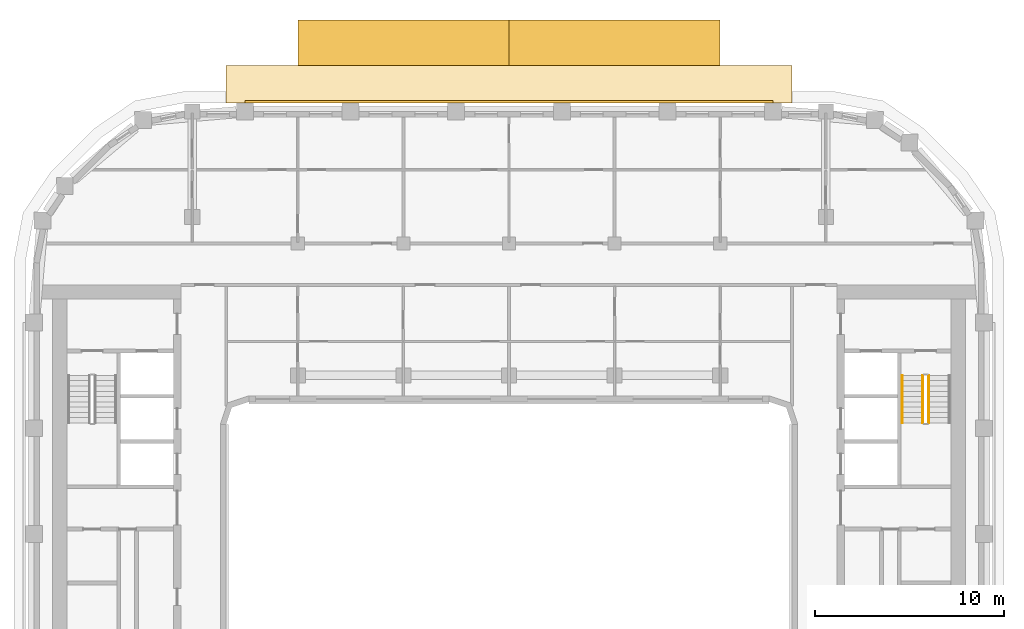
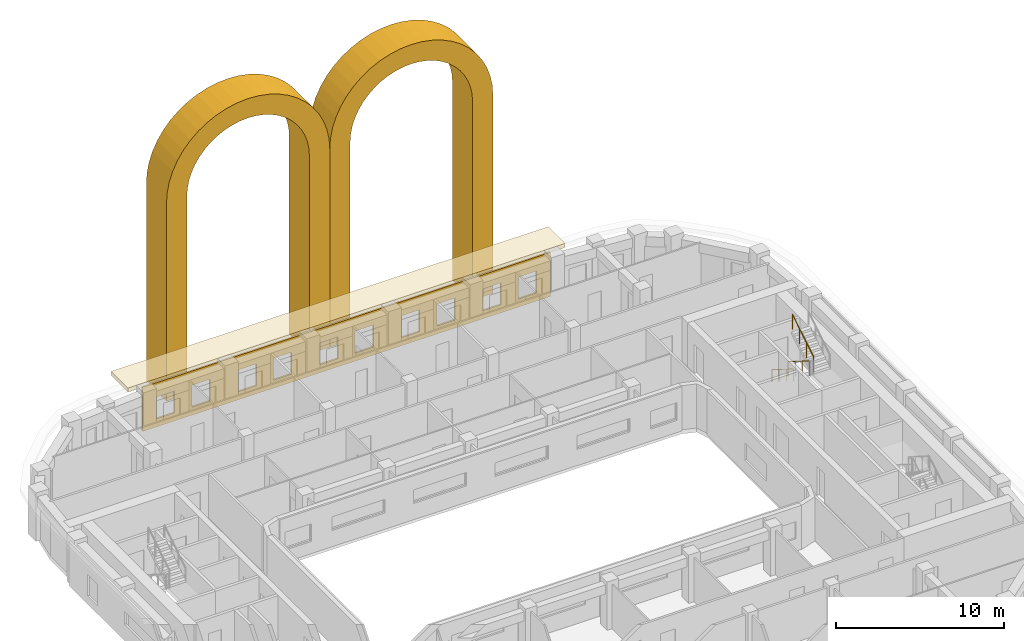
# One storey, part 17 of 18: 4 coverings, 3 railings.
"""IFC4 building model written with IfcOpenShell, lengths in metres."""

from ifc_helpers import new_model, si_unit, direction, frame, origin, origin_2d, place, context, subcontext, project, spatial, polyline, circle, outline, extrude, material, layer, layer_set, type_object, element, save


model = new_model("IFC4")

# Units and contexts
model_context = context("Model", 3, precision=1e-05, world=origin(), true_north=direction((0.0, 1.0)))
body_context = subcontext(model_context, "Body", "Model", "MODEL_VIEW")
ifc_project = project(units=[si_unit("LENGTHUNIT", "METRE"), si_unit("AREAUNIT", "SQUARE_METRE"), si_unit("VOLUMEUNIT", "CUBIC_METRE"), si_unit("PLANEANGLEUNIT", "RADIAN"), si_unit("MASSUNIT", "GRAM", prefix="KILO")], contexts=[model_context])

# Site, building, storey
site_placement = place(None, origin())
site = spatial("IfcSite", under=ifc_project, at=site_placement, CompositionType="ELEMENT")
building_placement = place(site_placement, origin())
building = spatial("IfcBuilding", under=site, at=building_placement, Name="Kiln Ring Residences", CompositionType="ELEMENT")
storey_placement = place(building_placement, frame((0.0, 0.0, 209.89990234375)))
storey = spatial("IfcBuildingStorey", under=building, at=storey_placement, Name="L54", CompositionType="ELEMENT", Elevation=209.89990234375)

# Coverings
ifc_material_1 = material(Name="Brick masonry, dark clay brick", Category="masonry")
ifc_layer_1 = layer(ifc_material_1, 1.39990234375)
ifc_layer_set_1 = layer_set([ifc_layer_1], Name="ARCH SURROUND 2400")
covering_type_1 = type_object("IfcCoveringType", Name="ARCH SURROUND 2400", PredefinedType="CLADDING", material=ifc_layer_set_1)
covering_1_placement = place(storey_placement, frame((-11.199951171875, 26.050048828125, 0.0), z_axis=(0.0, 0.0, 1.0), x_axis=(1.0, 0.0, 0.0)))
element("IfcCovering", 1, at=covering_1_placement, inside=storey, type_object=covering_type_1, Name="ARCH SURROUND Z4 N2.1", PredefinedType="CLADDING", context=body_context, shape_type="SweptSolid", body=[
    extrude(outline(polyline([(0.0, 0.0), (0.0, 14.400146484375), (0.0478515625, 15.131103515625), (0.19091796875, 15.849609375), (0.42626953125, 16.543212890625), (0.750244140625, 17.2001953125), (1.1572265625, 17.80908203125), (1.64013671875, 18.35986328125), (2.19091796875, 18.843017578125), (2.800048828125, 19.249755859375), (3.45703125, 19.57373046875), (4.150634765625, 19.809326171875), (4.869140625, 19.9521484375), (5.60009765625, 20.0), (6.330810546875, 19.9521484375), (7.04931640625, 19.809326171875), (7.742919921875, 19.57373046875), (8.39990234375, 19.249755859375), (9.009033203125, 18.843017578125), (9.559814453125, 18.35986328125), (10.042724609375, 17.80908203125), (10.44970703125, 17.2001953125), (10.773681640625, 16.543212890625), (11.00927734375, 15.849609375), (11.152099609375, 15.131103515625), (11.199951171875, 14.400146484375), (11.199951171875, 0.0), (9.800048828125, 0.0), (9.800048828125, 14.400146484375), (9.76416015625, 14.9482421875), (9.656982421875, 15.487060546875), (9.480224609375, 16.00732421875), (9.2373046875, 16.5), (8.93212890625, 16.956787109375), (8.56982421875, 17.369873046875), (8.15673828125, 17.732177734375), (7.699951171875, 18.037353515625), (7.207275390625, 18.280517578125), (6.68701171875, 18.45703125), (6.148193359375, 18.564208984375), (5.60009765625, 18.60009765625), (5.0517578125, 18.564208984375), (4.512939453125, 18.45703125), (3.99267578125, 18.280517578125), (3.5, 18.037353515625), (3.043212890625, 17.732177734375), (2.630126953125, 17.369873046875), (2.267822265625, 16.956787109375), (1.962646484375, 16.5), (1.7197265625, 16.00732421875), (1.543212890625, 15.487060546875), (1.435791015625, 14.9482421875), (1.39990234375, 14.400146484375), (1.39990234375, 0.0), (0.0, 0.0)])), frame((0.0, 1.199951171875, 0.0), z_axis=(0.0, -1.0, 0.0), x_axis=(1.0, 0.0, 0.0)), (0.0, 0.0, 1.0), 2.39990234375),
])
covering_2_placement = place(storey_placement, frame((0.0, 26.050048828125, 0.0), z_axis=(0.0, 0.0, 1.0), x_axis=(1.0, 0.0, 0.0)))
element("IfcCovering", 2, at=covering_2_placement, inside=storey, type_object=covering_type_1, Name="ARCH SURROUND Z4 N2.2", PredefinedType="CLADDING", context=body_context, shape_type="SweptSolid", body=[
    extrude(outline(polyline([(0.0, 0.0), (0.0, 14.400146484375), (0.0478515625, 15.131103515625), (0.19091796875, 15.849609375), (0.42626953125, 16.543212890625), (0.750244140625, 17.2001953125), (1.1572265625, 17.80908203125), (1.64013671875, 18.35986328125), (2.19091796875, 18.843017578125), (2.800048828125, 19.249755859375), (3.45703125, 19.57373046875), (4.150634765625, 19.809326171875), (4.869140625, 19.9521484375), (5.60009765625, 20.0), (6.330810546875, 19.9521484375), (7.04931640625, 19.809326171875), (7.742919921875, 19.57373046875), (8.39990234375, 19.249755859375), (9.009033203125, 18.843017578125), (9.559814453125, 18.35986328125), (10.042724609375, 17.80908203125), (10.44970703125, 17.2001953125), (10.773681640625, 16.543212890625), (11.00927734375, 15.849609375), (11.152099609375, 15.131103515625), (11.199951171875, 14.400146484375), (11.199951171875, 0.0), (9.800048828125, 0.0), (9.800048828125, 14.400146484375), (9.76416015625, 14.9482421875), (9.656982421875, 15.487060546875), (9.480224609375, 16.00732421875), (9.2373046875, 16.5), (8.93212890625, 16.956787109375), (8.56982421875, 17.369873046875), (8.15673828125, 17.732177734375), (7.699951171875, 18.037353515625), (7.207275390625, 18.280517578125), (6.68701171875, 18.45703125), (6.148193359375, 18.564208984375), (5.60009765625, 18.60009765625), (5.0517578125, 18.564208984375), (4.512939453125, 18.45703125), (3.99267578125, 18.280517578125), (3.5, 18.037353515625), (3.043212890625, 17.732177734375), (2.630126953125, 17.369873046875), (2.267822265625, 16.956787109375), (1.962646484375, 16.5), (1.7197265625, 16.00732421875), (1.543212890625, 15.487060546875), (1.435791015625, 14.9482421875), (1.39990234375, 14.400146484375), (1.39990234375, 0.0), (0.0, 0.0)])), frame((0.0, 1.199951171875, 0.0), z_axis=(0.0, -1.0, 0.0), x_axis=(1.0, 0.0, 0.0)), (0.0, 0.0, 1.0), 2.39990234375),
])

# Railings
ifc_material_2 = material(Name="Stainless steel", Category="steel")
railing_type_1 = type_object("IfcRailingType", Name="CORE-STAIR-GUARD", PredefinedType="GUARDRAIL", material=ifc_material_2)
railing_1_placement = place(storey_placement, frame((21.949951171875, 8.39990234375, 0.175048828125)))
element("IfcRailing", 3, at=railing_1_placement, inside=storey, type_object=railing_type_1, Name="L54 E-STN stair guard 1", PredefinedType="GUARDRAIL", context=body_context, shape_type="SweptSolid", body=[
    extrude(circle(Radius=0.02392578125, at=origin_2d()), frame((0.0, 0.0, 1.076171875), z_axis=(0.0, -0.848007534815, 0.529984170421), x_axis=(1.0, 0.0, 0.0)), (0.0, 0.0, 1.0), 2.9716796875),
    extrude(circle(Radius=0.02099609375, at=origin_2d()), origin(), (0.0, 0.0, 1.0), 1.052001953125),
    extrude(circle(Radius=0.02099609375, at=origin_2d()), frame((0.0, -0.840087890625, 0.52490234375)), (0.0, 0.0, 1.0), 1.052001953125),
    extrude(circle(Radius=0.02099609375, at=origin_2d()), frame((0.0, -1.679931640625, 1.050048828125)), (0.0, 0.0, 1.0), 1.052001953125),
    extrude(circle(Radius=0.02099609375, at=origin_2d()), frame((0.0, -2.52001953125, 1.574951171875)), (0.0, 0.0, 1.0), 1.052001953125),
])
railing_2_placement = place(storey_placement, frame((22.25, 5.8798828125, 1.925048828125)))
element("IfcRailing", 4, at=railing_2_placement, inside=storey, type_object=railing_type_1, Name="L54 E-STN stair guard 3", PredefinedType="GUARDRAIL", context=body_context, shape_type="SweptSolid", body=[
    extrude(circle(Radius=0.02392578125, at=origin_2d()), frame((0.0, 0.0, 1.076171875), z_axis=(0.0, 0.848007534815, 0.529984170421), x_axis=(-1.0, 0.0, 0.0)), (0.0, 0.0, 1.0), 2.9716796875),
    extrude(circle(Radius=0.02099609375, at=origin_2d()), origin(), (0.0, 0.0, 1.0), 1.052001953125),
    extrude(circle(Radius=0.02099609375, at=origin_2d()), frame((0.0, 0.840087890625, 0.52490234375)), (0.0, 0.0, 1.0), 1.052001953125),
    extrude(circle(Radius=0.02099609375, at=origin_2d()), frame((0.0, 1.679931640625, 1.050048828125)), (0.0, 0.0, 1.0), 1.052001953125),
    extrude(circle(Radius=0.02099609375, at=origin_2d()), frame((0.0, 2.52001953125, 1.574951171875)), (0.0, 0.0, 1.0), 1.052001953125),
])
ifc_material_3 = material(Name="Stainless steel", Category="steel")
railing_type_2 = type_object("IfcRailingType", Name="CORE-STAIR-HANDRAIL", PredefinedType="HANDRAIL", material=ifc_material_3)
railing_3_placement = place(storey_placement, frame((20.85009765625, 8.39990234375, 0.175048828125)))
element("IfcRailing", 5, at=railing_3_placement, inside=storey, type_object=railing_type_2, Name="L54 E-STN stair handrail 1", PredefinedType="HANDRAIL", context=body_context, shape_type="SweptSolid", body=[
    extrude(circle(Radius=0.02392578125, at=origin_2d()), frame((0.0, 0.0, 0.8759765625), z_axis=(0.0, -0.848007534815, 0.529984170421), x_axis=(1.0, 0.0, 0.0)), (0.0, 0.0, 1.0), 2.9716796875),
    extrude(circle(Radius=0.02099609375, at=origin_2d()), origin(), (0.0, 0.0, 1.0), 0.851806640625),
    extrude(circle(Radius=0.02099609375, at=origin_2d()), frame((0.0, -0.840087890625, 0.52490234375)), (0.0, 0.0, 1.0), 0.851806640625),
    extrude(circle(Radius=0.02099609375, at=origin_2d()), frame((0.0, -1.679931640625, 1.050048828125)), (0.0, 0.0, 1.0), 0.851806640625),
    extrude(circle(Radius=0.02099609375, at=origin_2d()), frame((0.0, -2.52001953125, 1.574951171875)), (0.0, 0.0, 1.0), 0.851806640625),
])

# Coverings
ifc_material_4 = material(Name="Brick masonry, dark clay brick", Category="masonry")
ifc_layer_2 = layer(ifc_material_4, 0.1201171875)
ifc_layer_set_2 = layer_set([ifc_layer_2], Name="RAINSCREEN PANEL 120")
covering_type_2 = type_object("IfcCoveringType", Name="RAINSCREEN PANEL 120", PredefinedType="CLADDING", material=ifc_layer_set_2)
covering_3_placement = place(storey_placement, frame((14.0, 22.909912109375, 0.0), z_axis=(0.0, 0.0, 1.0), x_axis=(-1.0, 0.0, 0.0)))
element("IfcCovering", 6, at=covering_3_placement, inside=storey, type_object=covering_type_2, Name="RAINSCREEN L54", PredefinedType="CLADDING", context=body_context, shape_type="SweptSolid", body=[
    extrude(outline(polyline([(0.0, 0.0), (28.0, 0.0), (28.0, 3.2001953125), (0.0, 3.2001953125), (0.0, 0.0)]), holes=[polyline([(0.967529296875, 0.580078125), (2.20751953125, 0.580078125), (2.20751953125, 2.170166015625), (0.967529296875, 2.170166015625), (0.967529296875, 0.580078125)]), polyline([(3.392578125, 0.580078125), (4.632568359375, 0.580078125), (4.632568359375, 2.170166015625), (3.392578125, 2.170166015625), (3.392578125, 0.580078125)]), polyline([(6.5673828125, 0.580078125), (7.8076171875, 0.580078125), (7.8076171875, 2.170166015625), (6.5673828125, 2.170166015625), (6.5673828125, 0.580078125)]), polyline([(8.992431640625, 2.170166015625), (8.992431640625, 0.580078125), (10.232421875, 0.580078125), (10.232421875, 2.170166015625), (8.992431640625, 2.170166015625)]), polyline([(12.16748046875, 2.170166015625), (12.16748046875, 0.580078125), (13.407470703125, 0.580078125), (13.407470703125, 2.170166015625), (12.16748046875, 2.170166015625)]), polyline([(14.592529296875, 0.580078125), (15.83251953125, 0.580078125), (15.83251953125, 2.170166015625), (14.592529296875, 2.170166015625), (14.592529296875, 0.580078125)]), polyline([(17.767578125, 0.580078125), (19.007568359375, 0.580078125), (19.007568359375, 2.170166015625), (17.767578125, 2.170166015625), (17.767578125, 0.580078125)]), polyline([(20.1923828125, 0.580078125), (21.4326171875, 0.580078125), (21.4326171875, 2.170166015625), (20.1923828125, 2.170166015625), (20.1923828125, 0.580078125)]), polyline([(23.367431640625, 2.170166015625), (23.367431640625, 0.580078125), (24.607421875, 0.580078125), (24.607421875, 2.170166015625), (23.367431640625, 2.170166015625)]), polyline([(25.79248046875, 2.170166015625), (25.79248046875, 0.580078125), (27.032470703125, 0.580078125), (27.032470703125, 2.170166015625), (25.79248046875, 2.170166015625)])]), frame((0.0, 0.06005859375, 0.0), z_axis=(0.0, -1.0, 0.0), x_axis=(1.0, 0.0, 0.0)), (0.0, 0.0, 1.0), 0.1201171875),
])
ifc_material_5 = material(Name="Black powder-coated steel", Category="steel")
ifc_layer_3 = layer(ifc_material_5, 0.300048828125)
ifc_layer_set_3 = layer_set([ifc_layer_3], Name="SUNSHADE BAND 2000")
covering_type_3 = type_object("IfcCoveringType", Name="SUNSHADE BAND 2000", PredefinedType="CLADDING", material=ifc_layer_set_3)
covering_4_placement = place(storey_placement, frame((0.0, 0.0, 3.2001953125)))
element("IfcCovering", 7, at=covering_4_placement, inside=storey, type_object=covering_type_3, Name="SUNSHADE BAND L54", PredefinedType="CLADDING", context=body_context, shape_type="SweptSolid", body=[
    extrude(outline(polyline([(15.0, 24.85009765625), (-15.0, 24.85009765625), (-15.0, 22.85009765625), (15.0, 22.85009765625), (15.0, 24.85009765625)])), origin(), (0.0, 0.0, 1.0), 0.2998046875),
])

save(model, "model.ifc")
